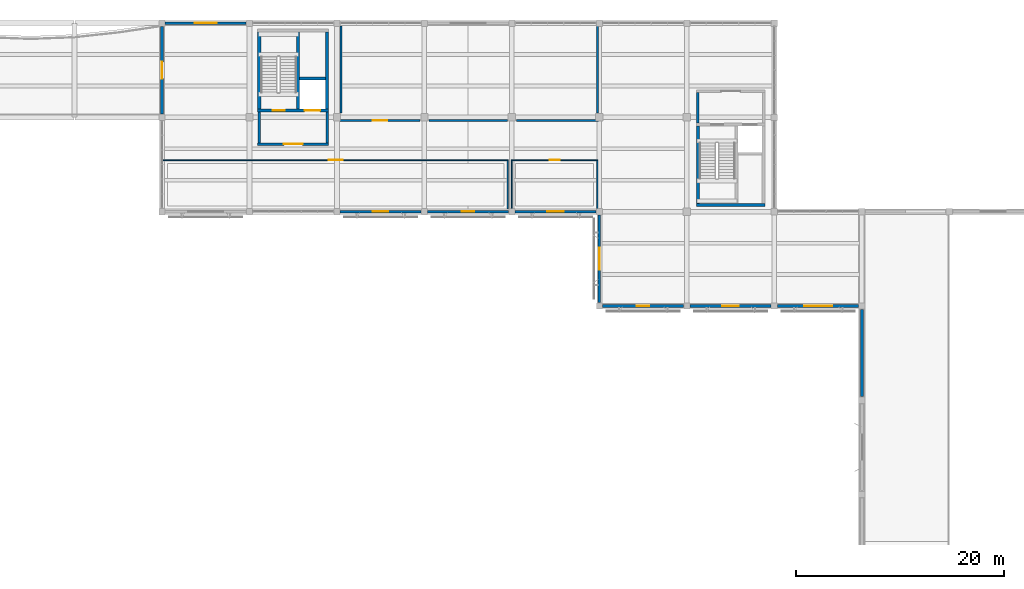
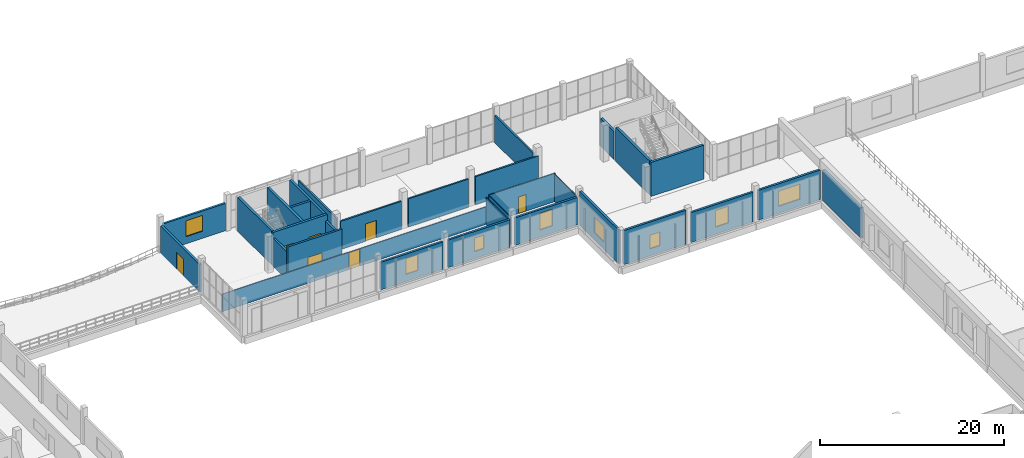
# One storey, part 60 of 80: 31 walls, 8 windows, 7 doors, 15 openings.
"""IFC4 building model written with IfcOpenShell, lengths in metres."""

from ifc_helpers import new_model, si_unit, direction, frame, frame_2d, origin, place, context, subcontext, project, spatial, rectangle, extrude, material, layer, layer_set, type_object, element, fill, save


model = new_model("IFC4")

# Units and contexts
model_context = context("Model", 3, precision=1e-05, world=origin(), true_north=direction((0.0, 1.0)))
body_context = subcontext(model_context, "Body", "Model", "MODEL_VIEW")
ifc_project = project(units=[si_unit("LENGTHUNIT", "METRE"), si_unit("AREAUNIT", "SQUARE_METRE"), si_unit("VOLUMEUNIT", "CUBIC_METRE"), si_unit("PLANEANGLEUNIT", "RADIAN"), si_unit("MASSUNIT", "GRAM", prefix="KILO")], contexts=[model_context])

# Site, building, storey
site_placement = place(None, origin())
site = spatial("IfcSite", under=ifc_project, at=site_placement, CompositionType="ELEMENT")
building_placement = place(site_placement, origin())
building = spatial("IfcBuilding", under=site, at=building_placement, Name="Khurvash Pelagic Aquarium", CompositionType="ELEMENT")
storey_placement = place(building_placement, frame((0.0, 0.0, 10.800048828125)))
storey = spatial("IfcBuildingStorey", under=building, at=storey_placement, Name="L02", CompositionType="ELEMENT", Elevation=10.800048828125)

# Wall, opening, window
ifc_material_1 = material(Name="Glass-fibre reinforced concrete C40/50", Category="concrete")
ifc_layer_1 = layer(ifc_material_1, 0.260009765625)
ifc_layer_set_1 = layer_set([ifc_layer_1], Name="Glass-fibre reinforced concrete C40/50")
wall_type_1 = type_object("IfcWallType", Name="EW-260", PredefinedType="STANDARD", material=ifc_layer_set_1)
wall_1_placement = place(storey_placement, frame((66.89501953125, 102.14990234375, 0.0), z_axis=(0.0, 0.0, 1.0), x_axis=(-1.0, 0.0, 0.0)))
wall_1 = element("IfcWall", 1, at=wall_1_placement, inside=storey, type_object=wall_type_1, Name="L02 Exterior Architectural Facade Wall EW-260 0081", PredefinedType="STANDARD", context=body_context, shape_type="SweptSolid", body=[
    extrude(rectangle(XDim=7.7900390625, YDim=0.260009765625, at=frame_2d((3.89501953125, 0.0))), origin(), (0.0, 0.0, 1.0), 3.6298828125),
])
opening_1_placement = place(wall_1_placement, frame((2.844970703125, 0.0, 0.949951171875)))
opening_1 = element("IfcOpeningElement", 2, at=opening_1_placement, cuts=wall_1, Name="Opening WN-04", PredefinedType="OPENING", context=body_context, shape_type="SweptSolid", body=[
    extrude(rectangle(XDim=2.10009765625, YDim=2.10009765625, at=frame_2d((1.050048828125, 1.050048828125))), frame((0.0, 0.14013671875, 0.0), z_axis=(0.0, -1.0, 0.0), x_axis=(1.0, 0.0, 0.0)), (0.0, 0.0, 1.0), 0.280029296875),
])
ifc_material_2 = material(Name="Thermally broken aluminium and low-E glass", Category="aluminium")
window_type_1 = type_object("IfcWindowType", Name="WN-04", PartitioningType="SINGLE_PANEL", PredefinedType="WINDOW", material=ifc_material_2)
window_1_placement = place(opening_1_placement, origin())
window_1 = element("IfcWindow", 3, at=window_1_placement, inside=storey, type_object=window_type_1, Name="L02 Facade Window WN-04 0044", OverallHeight=2.10009765625, OverallWidth=2.10009765625, PartitioningType="SINGLE_PANEL", PredefinedType="WINDOW", context=body_context, shape_type="SweptSolid", body=[
    extrude(rectangle(XDim=2.10009765625, YDim=2.10009765625, at=frame_2d((1.050048828125, 1.050048828125))), frame((0.0, 0.030029296875, 0.0), z_axis=(0.0, -1.0, 0.0), x_axis=(1.0, 0.0, 0.0)), (0.0, 0.0, 1.0), 0.06005859375),
])
fill(opening_1, window_1)

# Wall, opening, door
wall_2_placement = place(storey_placement, frame((58.800048828125, 101.844970703125, 0.0), z_axis=(0.0, 0.0, 1.0), x_axis=(0.0, -1.0, 0.0)))
wall_2 = element("IfcWall", 4, at=wall_2_placement, inside=storey, type_object=wall_type_1, Name="L02 Exterior Architectural Facade Wall EW-260 0082", PredefinedType="STANDARD", context=body_context, shape_type="SweptSolid", body=[
    extrude(rectangle(XDim=8.43994140625, YDim=0.260009765625, at=frame_2d((4.219970703125, 0.0))), origin(), (0.0, 0.0, 1.0), 3.64990234375),
])
opening_2_placement = place(wall_2_placement, frame((3.419921875, 0.0, 0.0)))
opening_2 = element("IfcOpeningElement", 5, at=opening_2_placement, cuts=wall_2, Name="Opening ED-03", PredefinedType="OPENING", context=body_context, shape_type="SweptSolid", body=[
    extrude(rectangle(XDim=1.60009765625, YDim=2.25, at=frame_2d((0.800048828125, 1.125))), frame((0.0, 0.14013671875, 0.0), z_axis=(0.0, -1.0, 0.0), x_axis=(1.0, 0.0, 0.0)), (0.0, 0.0, 1.0), 0.280029296875),
])
ifc_material_3 = material(Name="Thermally broken glazed aluminium", Category="aluminium")
door_type_1 = type_object("IfcDoorType", Name="ED-03", OperationType="DOUBLE_DOOR_SINGLE_SWING", PredefinedType="DOOR", material=ifc_material_3)
door_1_placement = place(opening_2_placement, frame((1.60009765625, 0.0, 0.0), z_axis=(0.0, 0.0, 1.0), x_axis=(-1.0, 0.0, 0.0)))
door_1 = element("IfcDoor", 6, at=door_1_placement, inside=storey, type_object=door_type_1, Name="DR-0152", OperationType="DOUBLE_DOOR_SINGLE_SWING", OverallHeight=2.25, OverallWidth=1.60009765625, PredefinedType="DOOR", context=body_context, shape_type="SweptSolid", body=[
    extrude(rectangle(XDim=1.60009765625, YDim=2.25, at=frame_2d((0.800048828125, 1.125))), frame((0.0, 0.02490234375, 0.0), z_axis=(0.0, -1.0, 0.0), x_axis=(1.0, 0.0, 0.0)), (0.0, 0.0, 1.0), 0.050048828125),
])
fill(opening_2, door_1)

# Wall, opening, window
wall_3_placement = place(storey_placement, frame((75.905029296875, 84.050048828125, 0.0), z_axis=(0.0, 0.0, 1.0), x_axis=(1.0, 0.0, 0.0)))
wall_3 = element("IfcWall", 7, at=wall_3_placement, inside=storey, type_object=wall_type_1, Name="L02 Exterior Architectural Facade Wall EW-260 0084", PredefinedType="STANDARD", context=body_context, shape_type="SweptSolid", body=[
    extrude(rectangle(XDim=7.7900390625, YDim=0.260009765625, at=frame_2d((3.89501953125, 0.0))), origin(), (0.0, 0.0, 1.0), 3.6298828125),
])
opening_3_placement = place(wall_3_placement, frame((3.14501953125, 0.0, 0.949951171875)))
opening_3 = element("IfcOpeningElement", 8, at=opening_3_placement, cuts=wall_3, Name="Opening WN-03", PredefinedType="OPENING", context=body_context, shape_type="SweptSolid", body=[
    extrude(rectangle(XDim=1.5, YDim=2.10009765625, at=frame_2d((0.75, 1.050048828125))), frame((0.0, 0.14013671875, 0.0), z_axis=(0.0, -1.0, 0.0), x_axis=(1.0, 0.0, 0.0)), (0.0, 0.0, 1.0), 0.280029296875),
])
window_type_2 = type_object("IfcWindowType", Name="WN-03", PartitioningType="SINGLE_PANEL", PredefinedType="WINDOW", material=ifc_material_2)
window_2_placement = place(opening_3_placement, origin())
window_2 = element("IfcWindow", 9, at=window_2_placement, inside=storey, type_object=window_type_2, Name="L02 Facade Window WN-03 0046", OverallHeight=2.10009765625, OverallWidth=1.5, PartitioningType="SINGLE_PANEL", PredefinedType="WINDOW", context=body_context, shape_type="SweptSolid", body=[
    extrude(rectangle(XDim=1.5, YDim=2.10009765625, at=frame_2d((0.75, 1.050048828125))), frame((0.0, 0.030029296875, 0.0), z_axis=(0.0, -1.0, 0.0), x_axis=(1.0, 0.0, 0.0)), (0.0, 0.0, 1.0), 0.06005859375),
])
fill(opening_3, window_2)

wall_4_placement = place(storey_placement, frame((84.304931640625, 84.050048828125, 0.0), z_axis=(0.0, 0.0, 1.0), x_axis=(1.0, 0.0, 0.0)))
wall_4 = element("IfcWall", 10, at=wall_4_placement, inside=storey, type_object=wall_type_1, Name="L02 Exterior Architectural Facade Wall EW-260 0085", PredefinedType="STANDARD", context=body_context, shape_type="SweptSolid", body=[
    extrude(rectangle(XDim=7.7900390625, YDim=0.260009765625, at=frame_2d((3.89501953125, 0.0))), origin(), (0.0, 0.0, 1.0), 3.6298828125),
])
opening_4_placement = place(wall_4_placement, frame((3.294921875, 0.0, 0.949951171875)))
opening_4 = element("IfcOpeningElement", 11, at=opening_4_placement, cuts=wall_4, Name="Opening WN-05", PredefinedType="OPENING", context=body_context, shape_type="SweptSolid", body=[
    extrude(rectangle(XDim=1.199951171875, YDim=1.800048828125, at=frame_2d((0.60009765625, 0.89990234375))), frame((0.0, 0.14013671875, 0.0), z_axis=(0.0, -1.0, 0.0), x_axis=(1.0, 0.0, 0.0)), (0.0, 0.0, 1.0), 0.280029296875),
])
window_type_3 = type_object("IfcWindowType", Name="WN-05", PartitioningType="SINGLE_PANEL", PredefinedType="WINDOW", material=ifc_material_2)
window_3_placement = place(opening_4_placement, origin())
window_3 = element("IfcWindow", 12, at=window_3_placement, inside=storey, type_object=window_type_3, Name="L02 Facade Window WN-05 0047", OverallHeight=1.800048828125, OverallWidth=1.199951171875, PartitioningType="SINGLE_PANEL", PredefinedType="WINDOW", context=body_context, shape_type="SweptSolid", body=[
    extrude(rectangle(XDim=1.199951171875, YDim=1.800048828125, at=frame_2d((0.60009765625, 0.89990234375))), frame((0.0, 0.030029296875, 0.0), z_axis=(0.0, -1.0, 0.0), x_axis=(1.0, 0.0, 0.0)), (0.0, 0.0, 1.0), 0.06005859375),
])
fill(opening_4, window_3)

wall_5_placement = place(storey_placement, frame((92.705078125, 84.050048828125, 0.0), z_axis=(0.0, 0.0, 1.0), x_axis=(1.0, 0.0, 0.0)))
wall_5 = element("IfcWall", 13, at=wall_5_placement, inside=storey, type_object=wall_type_1, Name="L02 Exterior Architectural Facade Wall EW-260 0086", PredefinedType="STANDARD", context=body_context, shape_type="SweptSolid", body=[
    extrude(rectangle(XDim=7.7900390625, YDim=0.260009765625, at=frame_2d((3.89501953125, 0.0))), origin(), (0.0, 0.0, 1.0), 3.6298828125),
])
opening_5_placement = place(wall_5_placement, frame((3.094970703125, 0.0, 0.949951171875)))
opening_5 = element("IfcOpeningElement", 14, at=opening_5_placement, cuts=wall_5, Name="Opening WN-07", PredefinedType="OPENING", context=body_context, shape_type="SweptSolid", body=[
    extrude(rectangle(XDim=1.60009765625, YDim=2.199951171875, at=frame_2d((0.800048828125, 1.10009765625))), frame((0.0, 0.14013671875, 0.0), z_axis=(0.0, -1.0, 0.0), x_axis=(1.0, 0.0, 0.0)), (0.0, 0.0, 1.0), 0.280029296875),
])
window_type_4 = type_object("IfcWindowType", Name="WN-07", PartitioningType="SINGLE_PANEL", PredefinedType="WINDOW", material=ifc_material_2)
window_4_placement = place(opening_5_placement, origin())
window_4 = element("IfcWindow", 15, at=window_4_placement, inside=storey, type_object=window_type_4, Name="L02 Facade Window WN-07 0048", OverallHeight=2.199951171875, OverallWidth=1.60009765625, PartitioningType="SINGLE_PANEL", PredefinedType="WINDOW", context=body_context, shape_type="SweptSolid", body=[
    extrude(rectangle(XDim=1.60009765625, YDim=2.199951171875, at=frame_2d((0.800048828125, 1.10009765625))), frame((0.0, 0.030029296875, 0.0), z_axis=(0.0, -1.0, 0.0), x_axis=(1.0, 0.0, 0.0)), (0.0, 0.0, 1.0), 0.06005859375),
])
fill(opening_5, window_4)

wall_6_placement = place(storey_placement, frame((100.800048828125, 83.7451171875, 0.0), z_axis=(0.0, 0.0, 1.0), x_axis=(0.0, -1.0, 0.0)))
wall_6 = element("IfcWall", 16, at=wall_6_placement, inside=storey, type_object=wall_type_1, Name="L02 Exterior Architectural Facade Wall EW-260 0087", PredefinedType="STANDARD", context=body_context, shape_type="SweptSolid", body=[
    extrude(rectangle(XDim=8.440185546875, YDim=0.260009765625, at=frame_2d((4.22021484375, 0.0))), origin(), (0.0, 0.0, 1.0), 4.5),
])
opening_6_placement = place(wall_6_placement, frame((3.169921875, 0.0, 0.949951171875)))
opening_6 = element("IfcOpeningElement", 17, at=opening_6_placement, cuts=wall_6, Name="Opening WN-04", PredefinedType="OPENING", context=body_context, shape_type="SweptSolid", body=[
    extrude(rectangle(XDim=2.10009765625, YDim=2.10009765625, at=frame_2d((1.050048828125, 1.050048828125))), frame((0.0, 0.14013671875, 0.0), z_axis=(0.0, -1.0, 0.0), x_axis=(1.0, 0.0, 0.0)), (0.0, 0.0, 1.0), 0.280029296875),
])
window_5_placement = place(opening_6_placement, origin())
window_5 = element("IfcWindow", 18, at=window_5_placement, inside=storey, type_object=window_type_1, Name="L02 Facade Window WN-04 0049", OverallHeight=2.10009765625, OverallWidth=2.10009765625, PartitioningType="SINGLE_PANEL", PredefinedType="WINDOW", context=body_context, shape_type="SweptSolid", body=[
    extrude(rectangle(XDim=2.10009765625, YDim=2.10009765625, at=frame_2d((1.050048828125, 1.050048828125))), frame((0.0, 0.030029296875, 0.0), z_axis=(0.0, -1.0, 0.0), x_axis=(1.0, 0.0, 0.0)), (0.0, 0.0, 1.0), 0.06005859375),
])
fill(opening_6, window_5)

wall_7_placement = place(storey_placement, frame((101.10498046875, 75.0, 0.0), z_axis=(0.0, 0.0, 1.0), x_axis=(1.0, 0.0, 0.0)))
wall_7 = element("IfcWall", 19, at=wall_7_placement, inside=storey, type_object=wall_type_1, Name="L02 Exterior Architectural Facade Wall EW-260 0088", PredefinedType="STANDARD", context=body_context, shape_type="SweptSolid", body=[
    extrude(rectangle(XDim=7.7900390625, YDim=0.260009765625, at=frame_2d((3.89501953125, 0.0))), origin(), (0.0, 0.0, 1.0), 4.5),
])
opening_7_placement = place(wall_7_placement, frame((3.294921875, 0.0, 0.949951171875)))
opening_7 = element("IfcOpeningElement", 20, at=opening_7_placement, cuts=wall_7, Name="Opening WN-05", PredefinedType="OPENING", context=body_context, shape_type="SweptSolid", body=[
    extrude(rectangle(XDim=1.199951171875, YDim=1.800048828125, at=frame_2d((0.60009765625, 0.89990234375))), frame((0.0, 0.14013671875, 0.0), z_axis=(0.0, -1.0, 0.0), x_axis=(1.0, 0.0, 0.0)), (0.0, 0.0, 1.0), 0.280029296875),
])
window_6_placement = place(opening_7_placement, origin())
window_6 = element("IfcWindow", 21, at=window_6_placement, inside=storey, type_object=window_type_3, Name="L02 Facade Window WN-05 0050", OverallHeight=1.800048828125, OverallWidth=1.199951171875, PartitioningType="SINGLE_PANEL", PredefinedType="WINDOW", context=body_context, shape_type="SweptSolid", body=[
    extrude(rectangle(XDim=1.199951171875, YDim=1.800048828125, at=frame_2d((0.60009765625, 0.89990234375))), frame((0.0, 0.030029296875, 0.0), z_axis=(0.0, -1.0, 0.0), x_axis=(1.0, 0.0, 0.0)), (0.0, 0.0, 1.0), 0.06005859375),
])
fill(opening_7, window_6)

wall_8_placement = place(storey_placement, frame((109.5048828125, 75.0, 0.0), z_axis=(0.0, 0.0, 1.0), x_axis=(1.0, 0.0, 0.0)))
wall_8 = element("IfcWall", 22, at=wall_8_placement, inside=storey, type_object=wall_type_1, Name="L02 Exterior Architectural Facade Wall EW-260 0089", PredefinedType="STANDARD", context=body_context, shape_type="SweptSolid", body=[
    extrude(rectangle(XDim=7.7900390625, YDim=0.260009765625, at=frame_2d((3.89501953125, 0.0))), origin(), (0.0, 0.0, 1.0), 3.930908203125),
])
opening_8_placement = place(wall_8_placement, frame((3.094970703125, 0.0, 0.949951171875)))
opening_8 = element("IfcOpeningElement", 23, at=opening_8_placement, cuts=wall_8, Name="Opening WN-07", PredefinedType="OPENING", context=body_context, shape_type="SweptSolid", body=[
    extrude(rectangle(XDim=1.60009765625, YDim=2.199951171875, at=frame_2d((0.800048828125, 1.10009765625))), frame((0.0, 0.14013671875, 0.0), z_axis=(0.0, -1.0, 0.0), x_axis=(1.0, 0.0, 0.0)), (0.0, 0.0, 1.0), 0.280029296875),
])
window_7_placement = place(opening_8_placement, origin())
window_7 = element("IfcWindow", 24, at=window_7_placement, inside=storey, type_object=window_type_4, Name="L02 Facade Window WN-07 0051", OverallHeight=2.199951171875, OverallWidth=1.60009765625, PartitioningType="SINGLE_PANEL", PredefinedType="WINDOW", context=body_context, shape_type="SweptSolid", body=[
    extrude(rectangle(XDim=1.60009765625, YDim=2.199951171875, at=frame_2d((0.800048828125, 1.10009765625))), frame((0.0, 0.030029296875, 0.0), z_axis=(0.0, -1.0, 0.0), x_axis=(1.0, 0.0, 0.0)), (0.0, 0.0, 1.0), 0.06005859375),
])
fill(opening_8, window_7)

wall_9_placement = place(storey_placement, frame((117.905029296875, 75.0, 0.0), z_axis=(0.0, 0.0, 1.0), x_axis=(1.0, 0.0, 0.0)))
wall_9 = element("IfcWall", 25, at=wall_9_placement, inside=storey, type_object=wall_type_1, Name="L02 Exterior Architectural Facade Wall EW-260 0090", PredefinedType="STANDARD", context=body_context, shape_type="SweptSolid", body=[
    extrude(rectangle(XDim=7.7900390625, YDim=0.260009765625, at=frame_2d((3.89501953125, 0.0))), origin(), (0.0, 0.0, 1.0), 3.930908203125),
])
opening_9_placement = place(wall_9_placement, frame((2.544921875, 0.0, 0.949951171875)))
opening_9 = element("IfcOpeningElement", 26, at=opening_9_placement, cuts=wall_9, Name="Opening WN-09", PredefinedType="OPENING", context=body_context, shape_type="SweptSolid", body=[
    extrude(rectangle(XDim=2.699951171875, YDim=2.0, at=frame_2d((1.35009765625, 1.0))), frame((0.0, 0.14013671875, 0.0), z_axis=(0.0, -1.0, 0.0), x_axis=(1.0, 0.0, 0.0)), (0.0, 0.0, 1.0), 0.280029296875),
])
window_type_5 = type_object("IfcWindowType", Name="WN-09", PartitioningType="SINGLE_PANEL", PredefinedType="WINDOW", material=ifc_material_2)
window_8_placement = place(opening_9_placement, origin())
window_8 = element("IfcWindow", 27, at=window_8_placement, inside=storey, type_object=window_type_5, Name="L02 Facade Window WN-09 0052", OverallHeight=2.0, OverallWidth=2.699951171875, PartitioningType="SINGLE_PANEL", PredefinedType="WINDOW", context=body_context, shape_type="SweptSolid", body=[
    extrude(rectangle(XDim=2.699951171875, YDim=2.0, at=frame_2d((1.35009765625, 1.0))), frame((0.0, 0.030029296875, 0.0), z_axis=(0.0, -1.0, 0.0), x_axis=(1.0, 0.0, 0.0)), (0.0, 0.0, 1.0), 0.06005859375),
])
fill(opening_9, window_8)

# Wall
ifc_material_4 = material(Name="Precast concrete C40/50", Category="concrete")
ifc_layer_2 = layer(ifc_material_4, 0.300048828125)
ifc_layer_set_2 = layer_set([ifc_layer_2], Name="Precast concrete C40/50")
wall_type_2 = type_object("IfcWallType", Name="EW-300", PredefinedType="STANDARD", material=ifc_layer_set_2)
wall_10_placement = place(storey_placement, frame((126.0, 74.639892578125, 0.0), z_axis=(0.0, 0.0, 1.0), x_axis=(0.0, -1.0, 0.0)))
element("IfcWall", 28, at=wall_10_placement, inside=storey, type_object=wall_type_2, Name="L02 Ocean Tank Hall West Courtyard Wall EW-300 B6", PredefinedType="STANDARD", context=body_context, shape_type="SweptSolid", body=[
    extrude(rectangle(XDim=8.329833984375, YDim=0.300048828125, at=frame_2d((4.1650390625, 0.0))), origin(), (0.0, 0.0, 1.0), 4.050048828125),
])

# Wall, opening, door
ifc_material_5 = material(Name="Ceramic-tiled wet-room partition", Category="masonry")
ifc_layer_3 = layer(ifc_material_5, 0.110107421875)
ifc_layer_set_3 = layer_set([ifc_layer_3], Name="Ceramic-tiled wet-room partition")
wall_type_3 = type_object("IfcWallType", Name="PW-110", PredefinedType="PARTITIONING", material=ifc_layer_set_3)
wall_11_placement = place(storey_placement, frame((58.945068359375, 89.0, 0.0), z_axis=(0.0, 0.0, 1.0), x_axis=(1.0, 0.0, 0.0)))
wall_11 = element("IfcWall", 29, at=wall_11_placement, inside=storey, type_object=wall_type_3, Name="L02 Aquatic Veterinary Surgery and Endoscopy Partition Wall PW-110", PredefinedType="PARTITIONING", context=body_context, shape_type="SweptSolid", body=[
    extrude(rectangle(XDim=33.10986328125, YDim=0.110107421875, at=frame_2d((16.554931640625, 0.0))), origin(), (0.0, 0.0, 1.0), 2.31005859375),
])
opening_10_placement = place(wall_11_placement, frame((15.89501953125, 0.0, 0.0)))
opening_10 = element("IfcOpeningElement", 30, at=opening_10_placement, cuts=wall_11, Name="Opening ID-07", PredefinedType="OPENING", context=body_context, shape_type="SweptSolid", body=[
    extrude(rectangle(XDim=1.320068359375, YDim=2.25, at=frame_2d((0.66015625, 1.125))), frame((0.0, 0.06494140625, 0.0), z_axis=(0.0, -1.0, 0.0), x_axis=(1.0, 0.0, 0.0)), (0.0, 0.0, 1.0), 0.130126953125),
])
ifc_material_6 = material(Name="FRP wet-laboratory equipment door", Category="wood")
door_type_2 = type_object("IfcDoorType", Name="ID-07", OperationType="NOTDEFINED", PredefinedType="DOOR", material=ifc_material_6)
door_2_placement = place(opening_10_placement, frame((1.320068359375, 0.0, 0.0), z_axis=(0.0, 0.0, 1.0), x_axis=(-1.0, 0.0, 0.0)))
door_2 = element("IfcDoor", 31, at=door_2_placement, inside=storey, type_object=door_type_2, Name="DR-0163", OperationType="SINGLE_SWING_RIGHT", OverallHeight=2.25, OverallWidth=1.320068359375, PredefinedType="DOOR", context=body_context, shape_type="SweptSolid", body=[
    extrude(rectangle(XDim=1.320068359375, YDim=2.25, at=frame_2d((0.66015625, 1.125))), frame((0.0, 0.02490234375, 0.0), z_axis=(0.0, -1.0, 0.0), x_axis=(1.0, 0.0, 0.0)), (0.0, 0.0, 1.0), 0.050048828125),
])
fill(opening_10, door_2)

# Wall
wall_12_placement = place(storey_placement, frame((92.0, 84.304931640625, 0.0), z_axis=(0.0, 0.0, 1.0), x_axis=(0.0, 1.0, 0.0)))
element("IfcWall", 32, at=wall_12_placement, inside=storey, type_object=wall_type_3, Name="L02 Aquatic Veterinary Surgery and Endoscopy Partition Wall PW-110", PredefinedType="PARTITIONING", context=body_context, shape_type="SweptSolid", body=[
    extrude(rectangle(XDim=4.64013671875, YDim=0.110107421875, at=frame_2d((2.320068359375, 0.0))), origin(), (0.0, 0.0, 1.0), 3.6298828125),
])

# Wall, opening, door
wall_13_placement = place(storey_placement, frame((92.344970703125, 89.0, 0.0), z_axis=(0.0, 0.0, 1.0), x_axis=(1.0, 0.0, 0.0)))
wall_13 = element("IfcWall", 33, at=wall_13_placement, inside=storey, type_object=wall_type_3, Name="L02 Marine Specimen Collection Storage Partition Wall PW-110", PredefinedType="PARTITIONING", context=body_context, shape_type="SweptSolid", body=[
    extrude(rectangle(XDim=8.31005859375, YDim=0.110107421875, at=frame_2d((4.155029296875, 0.0))), origin(), (0.0, 0.0, 1.0), 3.75),
])
opening_11_placement = place(wall_13_placement, frame((3.675048828125, 0.0, 0.0)))
opening_11 = element("IfcOpeningElement", 34, at=opening_11_placement, cuts=wall_13, Name="Opening ID-09", PredefinedType="OPENING", context=body_context, shape_type="SweptSolid", body=[
    extrude(rectangle(XDim=0.9599609375, YDim=2.199951171875, at=frame_2d((0.47998046875, 1.10009765625))), frame((0.0, 0.06494140625, 0.0), z_axis=(0.0, -1.0, 0.0), x_axis=(1.0, 0.0, 0.0)), (0.0, 0.0, 1.0), 0.130126953125),
])
ifc_material_7 = material(Name="Solid-core curatorial office door", Category="wood")
door_type_3 = type_object("IfcDoorType", Name="ID-09", OperationType="NOTDEFINED", PredefinedType="DOOR", material=ifc_material_7)
door_3_placement = place(opening_11_placement, frame((0.9599609375, 0.0, 0.0), z_axis=(0.0, 0.0, 1.0), x_axis=(-1.0, 0.0, 0.0)))
door_3 = element("IfcDoor", 35, at=door_3_placement, inside=storey, type_object=door_type_3, Name="DR-0165", OperationType="SINGLE_SWING_RIGHT", OverallHeight=2.199951171875, OverallWidth=0.9599609375, PredefinedType="DOOR", context=body_context, shape_type="SweptSolid", body=[
    extrude(rectangle(XDim=0.9599609375, YDim=2.199951171875, at=frame_2d((0.47998046875, 1.10009765625))), frame((0.0, 0.02490234375, 0.0), z_axis=(0.0, -1.0, 0.0), x_axis=(1.0, 0.0, 0.0)), (0.0, 0.0, 1.0), 0.050048828125),
])
fill(opening_11, door_3)

# Walls
for number, where, z_axis, x_axis, name in (
    (36, (100.60009765625, 84.304931640625, 0.0), (0.0, 0.0, 1.0), (0.0, 1.0, 0.0), "L02 Marine Specimen Collection Storage Partition Wall PW-110"),
    (37, (92.39990234375, 84.304931640625, 0.0), (0.0, 0.0, 1.0), (0.0, 1.0, 0.0), "L02 Marine Specimen Collection Storage Partition Wall PW-110"),
):
    element("IfcWall", number, at=place(storey_placement, frame(where, z_axis=z_axis, x_axis=x_axis)), inside=storey, type_object=wall_type_3, Name=name, PredefinedType="PARTITIONING", context=body_context, shape_type="SweptSolid", body=[
        extrude(rectangle(XDim=4.64013671875, YDim=0.110107421875, at=frame_2d((2.320068359375, 0.0))), origin(), (0.0, 0.0, 1.0), 3.6298828125),
    ])

# Wall, opening, door
ifc_material_8 = material(Name="AAC blockwork", Category="masonry")
ifc_layer_4 = layer(ifc_material_8, 0.199951171875)
ifc_layer_set_4 = layer_set([ifc_layer_4], Name="AAC blockwork")
wall_type_4 = type_object("IfcWallType", Name="PW-200", PredefinedType="PARTITIONING", material=ifc_layer_set_4)
wall_14_placement = place(storey_placement, frame((75.89990234375, 92.800048828125, 0.0), z_axis=(0.0, 0.0, 1.0), x_axis=(1.0, 0.0, 0.0)))
wall_14 = element("IfcWall", 38, at=wall_14_placement, inside=storey, type_object=wall_type_4, Name="L02 Veterinary Pathology and Necropsy Lab Partition Wall PW-200", PredefinedType="PARTITIONING", context=body_context, shape_type="SweptSolid", body=[
    extrude(rectangle(XDim=7.66015625, YDim=0.199951171875, at=frame_2d((3.830078125, 0.0))), origin(), (0.0, 0.0, 1.0), 3.72998046875),
])
opening_12_placement = place(wall_14_placement, frame((3.139892578125, 0.0, 0.0)))
opening_12 = element("IfcOpeningElement", 39, at=opening_12_placement, cuts=wall_14, Name="Opening ID-08", PredefinedType="OPENING", context=body_context, shape_type="SweptSolid", body=[
    extrude(rectangle(XDim=1.3798828125, YDim=2.300048828125, at=frame_2d((0.68994140625, 1.14990234375))), frame((0.0, 0.10986328125, 0.0), z_axis=(0.0, -1.0, 0.0), x_axis=(1.0, 0.0, 0.0)), (0.0, 0.0, 1.0), 0.219970703125),
])
ifc_material_9 = material(Name="Powder-coated steel husbandry door", Category="steel")
door_type_4 = type_object("IfcDoorType", Name="ID-08", OperationType="NOTDEFINED", PredefinedType="DOOR", material=ifc_material_9)
door_4_placement = place(opening_12_placement, origin())
door_4 = element("IfcDoor", 40, at=door_4_placement, inside=storey, type_object=door_type_4, Name="DR-0164", OperationType="SINGLE_SWING_LEFT", OverallHeight=2.300048828125, OverallWidth=1.3798828125, PredefinedType="DOOR", context=body_context, shape_type="SweptSolid", body=[
    extrude(rectangle(XDim=1.3798828125, YDim=2.300048828125, at=frame_2d((0.68994140625, 1.14990234375))), frame((0.0, 0.02490234375, 0.0), z_axis=(0.0, -1.0, 0.0), x_axis=(1.0, 0.0, 0.0)), (0.0, 0.0, 1.0), 0.050048828125),
])
fill(opening_12, door_4)

# Walls
wall_15_placement = place(storey_placement, frame((84.43994140625, 92.800048828125, 0.0), z_axis=(0.0, 0.0, 1.0), x_axis=(1.0, 0.0, 0.0)))
element("IfcWall", 41, at=wall_15_placement, inside=storey, type_object=wall_type_4, Name="L02 Veterinary Pathology and Necropsy Lab Partition Wall PW-200", PredefinedType="PARTITIONING", context=body_context, shape_type="SweptSolid", body=[
    extrude(rectangle(XDim=7.52001953125, YDim=0.199951171875, at=frame_2d((3.760009765625, 0.0))), origin(), (0.0, 0.0, 1.0), 3.72998046875),
])
wall_16_placement = place(storey_placement, frame((92.840087890625, 92.800048828125, 0.0), z_axis=(0.0, 0.0, 1.0), x_axis=(1.0, 0.0, 0.0)))
element("IfcWall", 42, at=wall_16_placement, inside=storey, type_object=wall_type_4, Name="L02 Veterinary Pathology and Necropsy Lab Partition Wall PW-200", PredefinedType="PARTITIONING", context=body_context, shape_type="SweptSolid", body=[
    extrude(rectangle(XDim=7.85986328125, YDim=0.199951171875, at=frame_2d((3.929931640625, 0.0))), origin(), (0.0, 0.0, 1.0), 3.72998046875),
])
for number, where, z_axis, x_axis, name in (
    (43, (100.60009765625, 93.5400390625, 0.0), (0.0, 0.0, 1.0), (0.0, 1.0, 0.0), "L02 Veterinary Pathology and Necropsy Lab Partition Wall PW-200"),
    (44, (76.0, 93.5400390625, 0.0), (0.0, 0.0, 1.0), (0.0, 1.0, 0.0), "L02 Veterinary Pathology and Necropsy Lab Partition Wall PW-200"),
):
    element("IfcWall", number, at=place(storey_placement, frame(where, z_axis=z_axis, x_axis=x_axis)), inside=storey, type_object=wall_type_4, Name=name, PredefinedType="PARTITIONING", context=body_context, shape_type="SweptSolid", body=[
        extrude(rectangle(XDim=8.31005859375, YDim=0.199951171875, at=frame_2d((4.155029296875, 0.0))), origin(), (0.0, 0.0, 1.0), 3.6298828125),
    ])

# Wall, opening, door
ifc_layer_5 = layer(ifc_material_8, 0.25)
ifc_layer_set_5 = layer_set([ifc_layer_5], Name="AAC blockwork")
wall_type_5 = type_object("IfcWallType", Name="PW-250", PredefinedType="PARTITIONING", material=ifc_layer_set_5)
wall_17_placement = place(storey_placement, frame((68.0, 90.52490234375, 0.0), z_axis=(0.0, 0.0, 1.0), x_axis=(1.0, 0.0, 0.0)))
wall_17 = element("IfcWall", 45, at=wall_17_placement, inside=storey, type_object=wall_type_5, Name="L02 Core C4 Lobby Front Fire Wall PW-250", PredefinedType="PARTITIONING", context=body_context, shape_type="SweptSolid", body=[
    extrude(rectangle(XDim=6.800048828125, YDim=0.25, at=frame_2d((3.39990234375, 0.0))), origin(), (0.0, 0.0, 1.0), 4.5),
])
opening_13_placement = place(wall_17_placement, frame((2.5, 0.0, 0.0)))
opening_13 = element("IfcOpeningElement", 46, at=opening_13_placement, cuts=wall_17, Name="Opening FD-02", PredefinedType="OPENING", context=body_context, shape_type="SweptSolid", body=[
    extrude(rectangle(XDim=1.800048828125, YDim=2.25, at=frame_2d((0.89990234375, 1.125))), frame((0.0, 0.135009765625, 0.0), z_axis=(0.0, -1.0, 0.0), x_axis=(1.0, 0.0, 0.0)), (0.0, 0.0, 1.0), 0.27001953125),
])
ifc_material_10 = material(Name="Galvanised steel double fire door", Category="steel")
door_type_5 = type_object("IfcDoorType", Name="FD-02", OperationType="DOUBLE_DOOR_SINGLE_SWING", PredefinedType="DOOR", material=ifc_material_10)
door_5_placement = place(opening_13_placement, frame((1.800048828125, 0.0, 0.0), z_axis=(0.0, 0.0, 1.0), x_axis=(-1.0, 0.0, 0.0)))
door_5 = element("IfcDoor", 47, at=door_5_placement, inside=storey, type_object=door_type_5, Name="DR-0169", OperationType="DOUBLE_DOOR_SINGLE_SWING", OverallHeight=2.25, OverallWidth=1.800048828125, PredefinedType="DOOR", context=body_context, shape_type="SweptSolid", body=[
    extrude(rectangle(XDim=1.800048828125, YDim=2.25, at=frame_2d((0.89990234375, 1.125))), frame((0.0, 0.02490234375, 0.0), z_axis=(0.0, -1.0, 0.0), x_axis=(1.0, 0.0, 0.0)), (0.0, 0.0, 1.0), 0.050048828125),
])
fill(opening_13, door_5)

# Walls
for number, where, z_axis, x_axis, name in (
    (48, (68.125, 90.64990234375, 0.0), (0.0, 0.0, 1.0), (0.0, 1.0, 0.0), "L02 Core C4 Lobby West Fire Wall PW-250"),
    (49, (74.675048828125, 90.64990234375, 0.0), (0.0, 0.0, 1.0), (0.0, 1.0, 0.0), "L02 Core C4 Lobby East Fire Wall PW-250"),
):
    element("IfcWall", number, at=place(storey_placement, frame(where, z_axis=z_axis, x_axis=x_axis)), inside=storey, type_object=wall_type_5, Name=name, PredefinedType="PARTITIONING", context=body_context, shape_type="SweptSolid", body=[
        extrude(rectangle(XDim=2.9501953125, YDim=0.25, at=frame_2d((1.47509765625, 0.0))), origin(), (0.0, 0.0, 1.0), 3.72998046875),
    ])
wall_18_placement = place(storey_placement, frame((110.22509765625, 92.550048828125, 0.0), z_axis=(0.0, 0.0, 1.0), x_axis=(0.0, 1.0, 0.0)))
element("IfcWall", 50, at=wall_18_placement, inside=storey, type_object=wall_type_5, Name="L02 Core C6 Lobby West Fire Wall PW-250", PredefinedType="PARTITIONING", context=body_context, shape_type="SweptSolid", body=[
    extrude(rectangle(XDim=2.949951171875, YDim=0.25, at=frame_2d((1.47509765625, 0.0))), origin(), (0.0, 0.0, 1.0), 3.72998046875),
])
ifc_material_11 = material(Name="Concrete C40/50", Category="concrete")
ifc_layer_6 = layer(ifc_material_11, 0.27490234375)
ifc_layer_set_6 = layer_set([ifc_layer_6], Name="Concrete C40/50")
wall_type_6 = type_object("IfcWallType", Name="SW-275", PredefinedType="SHEAR", material=ifc_layer_set_6)
wall_19_placement = place(storey_placement, frame((72.0, 96.837890625, 0.0), z_axis=(0.0, 0.0, 1.0), x_axis=(1.0, 0.0, 0.0)))
element("IfcWall", 51, at=wall_19_placement, inside=storey, type_object=wall_type_6, Name="L02 Lift GL-01 Shaft Rear Shear Wall SW-275", PredefinedType="SHEAR", context=body_context, shape_type="SweptSolid", body=[
    extrude(rectangle(XDim=2.5, YDim=0.27490234375, at=frame_2d((1.25, 0.0))), origin(), (0.0, 0.0, 1.0), 4.5),
])

# Wall, openings, doors
ifc_layer_7 = layer(ifc_material_11, 0.300048828125)
ifc_layer_set_7 = layer_set([ifc_layer_7], Name="Concrete C40/50")
wall_type_7 = type_object("IfcWallType", Name="SW-300", PredefinedType="SHEAR", material=ifc_layer_set_7)
wall_20_placement = place(storey_placement, frame((68.0, 93.75, 0.0), z_axis=(0.0, 0.0, 1.0), x_axis=(1.0, 0.0, 0.0)))
wall_20 = element("IfcWall", 52, at=wall_20_placement, inside=storey, type_object=wall_type_7, Name="L02 Core C4 South Shear Wall SW-300", PredefinedType="SHEAR", context=body_context, shape_type="SweptSolid", body=[
    extrude(rectangle(XDim=6.800048828125, YDim=0.300048828125, at=frame_2d((3.39990234375, 0.0))), origin(), (0.0, 0.0, 1.0), 4.5),
])
opening_14_placement = place(wall_20_placement, frame((1.425048828125, 0.0, 0.0)))
opening_14 = element("IfcOpeningElement", 53, at=opening_14_placement, cuts=wall_20, Name="Opening FD-01", PredefinedType="OPENING", context=body_context, shape_type="SweptSolid", body=[
    extrude(rectangle(XDim=1.14990234375, YDim=2.199951171875, at=frame_2d((0.574951171875, 1.10009765625))), frame((0.0, 0.16015625, 0.0), z_axis=(0.0, -1.0, 0.0), x_axis=(1.0, 0.0, 0.0)), (0.0, 0.0, 1.0), 0.320068359375),
])
opening_15_placement = place(wall_20_placement, frame((4.5, 0.0, 0.0)))
opening_15 = element("IfcOpeningElement", 54, at=opening_15_placement, cuts=wall_20, Name="Opening LD-03", PredefinedType="OPENING", context=body_context, shape_type="SweptSolid", body=[
    extrude(rectangle(XDim=1.5, YDim=2.300048828125, at=frame_2d((0.75, 1.14990234375))), frame((0.0, 0.16015625, 0.0), z_axis=(0.0, -1.0, 0.0), x_axis=(1.0, 0.0, 0.0)), (0.0, 0.0, 1.0), 0.320068359375),
])
ifc_material_12 = material(Name="Galvanised steel fire door", Category="steel")
door_type_6 = type_object("IfcDoorType", Name="FD-01", OperationType="NOTDEFINED", PredefinedType="DOOR", material=ifc_material_12)
door_6_placement = place(opening_14_placement, origin())
door_6 = element("IfcDoor", 55, at=door_6_placement, inside=storey, type_object=door_type_6, Name="DR-0135", OperationType="SINGLE_SWING_RIGHT", OverallHeight=2.199951171875, OverallWidth=1.14990234375, PredefinedType="DOOR", context=body_context, shape_type="SweptSolid", body=[
    extrude(rectangle(XDim=1.14990234375, YDim=2.199951171875, at=frame_2d((0.574951171875, 1.10009765625))), frame((0.0, 0.02490234375, 0.0), z_axis=(0.0, -1.0, 0.0), x_axis=(1.0, 0.0, 0.0)), (0.0, 0.0, 1.0), 0.050048828125),
])
fill(opening_14, door_6)
ifc_material_13 = material(Name="Brushed stainless steel 316 goods lift landing door", Category="steel")
door_type_7 = type_object("IfcDoorType", Name="LD-03", OperationType="DOUBLE_DOOR_SLIDING", PredefinedType="DOOR", material=ifc_material_13)
door_7_placement = place(opening_15_placement, origin())
door_7 = element("IfcDoor", 56, at=door_7_placement, inside=storey, type_object=door_type_7, Name="DR-0141", OperationType="DOUBLE_DOOR_SLIDING", OverallHeight=2.300048828125, OverallWidth=1.5, PredefinedType="DOOR", context=body_context, shape_type="SweptSolid", body=[
    extrude(rectangle(XDim=1.5, YDim=2.300048828125, at=frame_2d((0.75, 1.14990234375))), frame((0.0, 0.02490234375, 0.0), z_axis=(0.0, -1.0, 0.0), x_axis=(1.0, 0.0, 0.0)), (0.0, 0.0, 1.0), 0.050048828125),
])
fill(opening_15, door_7)

# Walls
for number, where, z_axis, x_axis, name in (
    (57, (68.14990234375, 93.89990234375, 0.0), (0.0, 0.0, 1.0), (0.0, 1.0, 0.0), "L02 Core C4 West Shear Wall SW-300"),
    (58, (74.64990234375, 93.89990234375, 0.0), (0.0, 0.0, 1.0), (0.0, 1.0, 0.0), "L02 Core C4 East Shear Wall SW-300"),
    (59, (71.85009765625, 93.89990234375, 0.0), (0.0, 0.0, 1.0), (0.0, 1.0, 0.0), "L02 Core C4 Divider Shear Wall SW-300"),
):
    element("IfcWall", number, at=place(storey_placement, frame(where, z_axis=z_axis, x_axis=x_axis)), inside=storey, type_object=wall_type_7, Name=name, PredefinedType="SHEAR", context=body_context, shape_type="SweptSolid", body=[
        extrude(rectangle(XDim=7.400146484375, YDim=0.300048828125, at=frame_2d((3.7001953125, 0.0))), origin(), (0.0, 0.0, 1.0), 4.5),
    ])
wall_21_placement = place(storey_placement, frame((110.10009765625, 84.699951171875, 0.0), z_axis=(0.0, 0.0, 1.0), x_axis=(1.0, 0.0, 0.0)))
element("IfcWall", 60, at=wall_21_placement, inside=storey, type_object=wall_type_7, Name="L02 Core C6 South Shear Wall SW-300", PredefinedType="SHEAR", context=body_context, shape_type="SweptSolid", body=[
    extrude(rectangle(XDim=6.599853515625, YDim=0.300048828125, at=frame_2d((3.2998046875, 0.0))), origin(), (0.0, 0.0, 1.0), 4.5),
])
wall_22_placement = place(storey_placement, frame((110.25, 84.85009765625, 0.0), z_axis=(0.0, 0.0, 1.0), x_axis=(0.0, 1.0, 0.0)))
element("IfcWall", 61, at=wall_22_placement, inside=storey, type_object=wall_type_7, Name="L02 Core C6 West Shear Wall SW-300", PredefinedType="SHEAR", context=body_context, shape_type="SweptSolid", body=[
    extrude(rectangle(XDim=7.39990234375, YDim=0.300048828125, at=frame_2d((3.699951171875, 0.0))), origin(), (0.0, 0.0, 1.0), 4.5),
])

save(model, "model.ifc")
